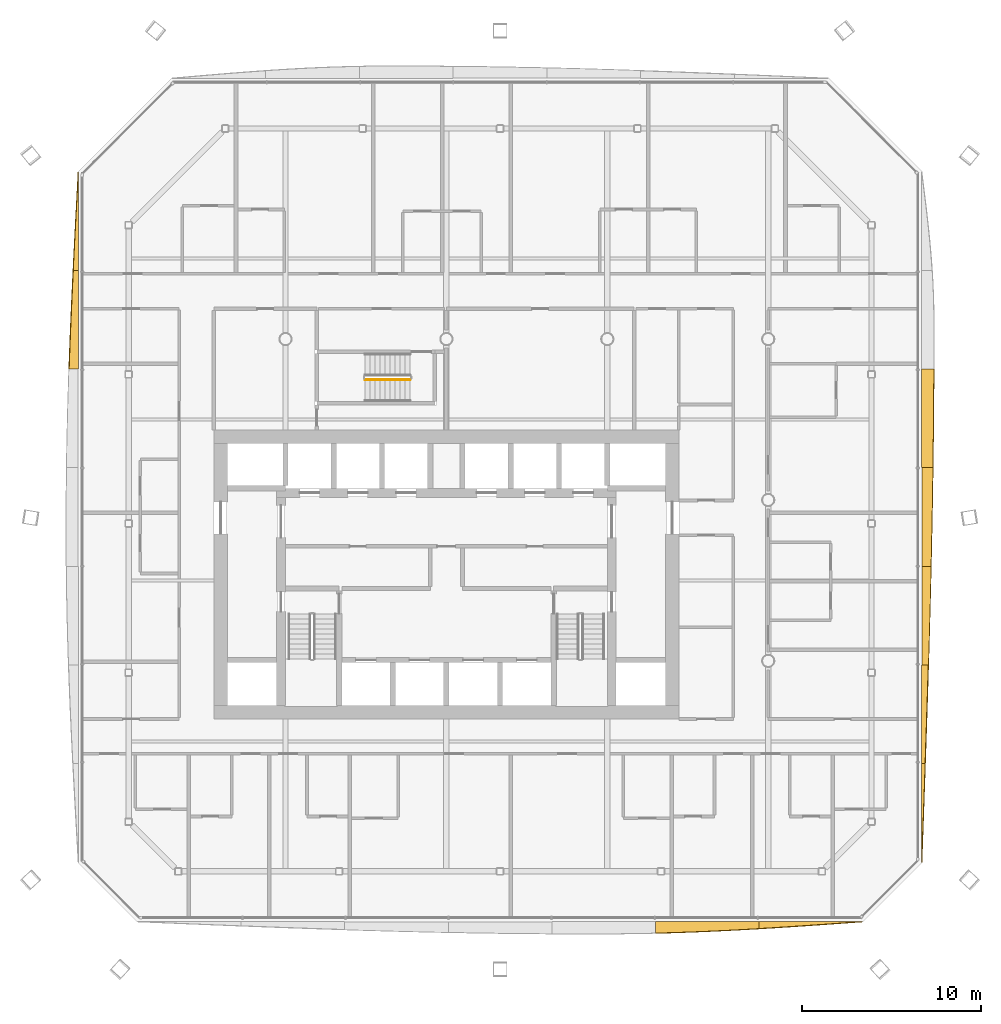
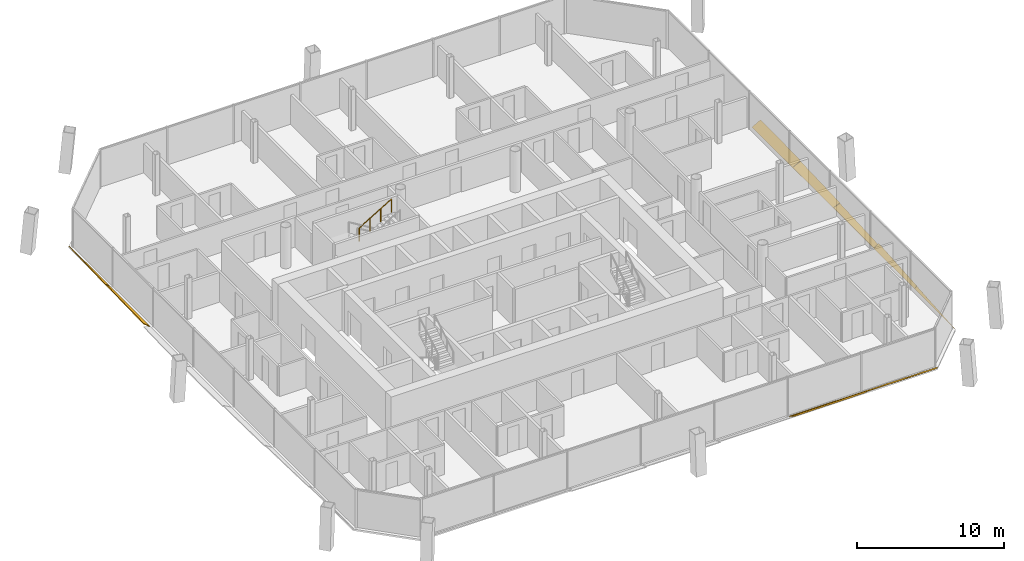
# One storey, part 20 of 22: 9 shading devices, 1 railing.
"""IFC4 building model written with IfcOpenShell, lengths in metres."""

from ifc_helpers import new_model, si_unit, direction, frame, origin, origin_2d, place, context, subcontext, project, spatial, polyline, circle, outline, extrude, material, layer, layer_set, type_object, element, save


model = new_model("IFC4")

# Units and contexts
model_context = context("Model", 3, precision=1e-05, world=origin(), true_north=direction((0.0, 1.0)))
body_context = subcontext(model_context, "Body", "Model", "MODEL_VIEW")
ifc_project = project(units=[si_unit("LENGTHUNIT", "METRE"), si_unit("AREAUNIT", "SQUARE_METRE"), si_unit("VOLUMEUNIT", "CUBIC_METRE"), si_unit("PLANEANGLEUNIT", "RADIAN"), si_unit("MASSUNIT", "GRAM", prefix="KILO")], contexts=[model_context])

# Site, building, storey
site_placement = place(None, origin())
site = spatial("IfcSite", under=ifc_project, at=site_placement, CompositionType="ELEMENT")
building_placement = place(site_placement, origin())
building = spatial("IfcBuilding", under=site, at=building_placement, Name="Tskaro Facet Tower", CompositionType="ELEMENT")
storey_placement = place(building_placement, frame((0.0, 0.0, 124.89990234375)))
storey = spatial("IfcBuildingStorey", under=building, at=storey_placement, Name="L29", CompositionType="ELEMENT", Elevation=124.89990234375)

# Shading devices
ifc_material_1 = material(Name="Bronze anodised aluminium 6063-T6", Category="aluminium")
ifc_layer = layer(ifc_material_1, 0.06005859375, Name="Bronze anodised aluminium 6063-T6")
ifc_layer_set = layer_set([ifc_layer], Name="Bronze anodised aluminium 6063-T6")
shading_device_type = type_object("IfcShadingDeviceType", Name="Bronze sun blade (FN1)", PredefinedType="USERDEFINED", material=ifc_layer_set)
shading_device_1_placement = place(storey_placement, frame((11.687255859375, -23.58251953125, 0.04931640625), z_axis=(-9.178746e-06, 0.573463922931, 0.819230815468), x_axis=(0.999999999958, 5.26368e-06, 7.519512e-06)))
element("IfcShadingDevice", 1, at=shading_device_1_placement, inside=storey, type_object=shading_device_type, Name="Fin blade south 6", ObjectType="FIN", PredefinedType="USERDEFINED", context=body_context, shape_type="SweptSolid", body=[
    extrude(outline(polyline([(0.0, 0.0), (5.791259765381045, 0.0), (5.7912597659233525, -0.4771585921025938), (5.067382812827949, -0.5278205660935821), (4.343505859732599, -0.5755024239674533), (3.6196289073716392, -0.6196641448370104), (2.895507811999184, -0.6603657303850039), (2.1716308587204467, -0.6970071580414859), (1.44775390562536, -0.7297884353297724), (0.7238769521631835, -0.7583695488859822), (-3.810048827194477e-10, -0.7825504911867991), (0.0, 0.0)])), origin(), (0.0, 0.0, -1.0), 0.06005859375),
])
shading_device_2_placement = place(storey_placement, frame((17.478515625, -23.578369140625, 0.046142578125), z_axis=(2.3479221e-05, 0.642479425762, 0.766302934172), x_axis=(0.999999999724, -1.5084917e-05, -1.7992196e-05)))
element("IfcShadingDevice", 2, at=shading_device_2_placement, inside=storey, type_object=shading_device_type, Name="Fin blade south 7", ObjectType="FIN", PredefinedType="USERDEFINED", context=body_context, shape_type="SweptSolid", body=[
    extrude(outline(polyline([(0.0, 0.0), (5.791503904653648, -9.811189245491461e-21), (5.0676269542858705, -0.0677694977638851), (4.343505859610319, -0.13535190985043044), (3.619628907689056, -0.2019024989191613), (2.895751953504522, -0.26757812029867606), (2.171874999186072, -0.3313469509711602), (1.4479980440239217, -0.393552931942552), (0.723876949522493, -0.45316424019503676), (-3.0683487078916687e-09, -0.5101808757286147), (0.0, 0.0)])), origin(), (0.0, 0.0, -1.0), 0.06005859375),
])
shading_device_3_placement = place(storey_placement, frame((26.58251953125, -20.27001953125, 0.04931640625), z_axis=(-0.572944911939, -1.2686296e-05, 0.819593879749), x_axis=(-7.268549e-06, 0.99999999992, 1.0397611e-05)))
element("IfcShadingDevice", 3, at=shading_device_3_placement, inside=storey, type_object=shading_device_type, Name="Fin blade east 1", ObjectType="FIN", PredefinedType="USERDEFINED", context=body_context, shape_type="SweptSolid", body=[
    extrude(outline(polyline([(0.0, 0.0), (5.518066405805955, 9.347968102461766e-21), (5.518066406681357, -0.2359691977669221), (4.828369140626434, -0.20704808928131357), (4.138671876346061, -0.17792688463364079), (3.4489746095272085, -0.14866580085706543), (2.7590332038579235, -0.11920462091842582), (2.0693359362751393, -0.08960356185088364), (1.379638670466904, -0.05980240662127719), (0.6896972640336877, -0.030001251391670734), (0.0, 0.0)])), origin(), (0.0, 0.0, -1.0), 0.06005859375),
])
shading_device_4_placement = place(storey_placement, frame((26.578369140625, -14.751953125, 0.046142578125), z_axis=(-0.642603687289, 7.2884e-08, 0.766198734718), x_axis=(4.6835e-08, 1.0, -5.5843e-08)))
element("IfcShadingDevice", 4, at=shading_device_4_placement, inside=storey, type_object=shading_device_type, Name="Fin blade east 2", ObjectType="FIN", PredefinedType="USERDEFINED", context=body_context, shape_type="SweptSolid", body=[
    extrude(outline(polyline([(0.0, 0.0), (5.518310546874985, 0.0), (5.51831054687679, -0.483672893852526), (4.828369140622856, -0.45663389135045074), (4.1386718749983205, -0.42890699704075524), (3.4489746093781823, -0.4004922109234394), (2.7592773437466103, -0.3718903645681554), (2.069335937494438, -0.34260062640525113), (1.379638671883097, -0.3128100566726947), (0.689941406248888, -0.2826453664642019), (3.3125116302392692e-12, -0.2523237905898671), (0.0, 0.0)])), origin(), (0.0, 0.0, -1.0), 0.06005859375),
])
shading_device_5_placement = place(storey_placement, frame((26.596435546875, -9.233642578125, 0.056396484375), z_axis=(-0.342095685582, 1.0325858e-05, 0.939665122158), x_axis=(3.532432e-06, 0.999999999947, -9.702849e-06)))
element("IfcShadingDevice", 5, at=shading_device_5_placement, inside=storey, type_object=shading_device_type, Name="Fin blade east 3", ObjectType="FIN", PredefinedType="USERDEFINED", context=body_context, shape_type="SweptSolid", body=[
    extrude(outline(polyline([(0.0, 0.0), (5.518066405955823, -2.3369920256154414e-21), (5.518066406367937, -0.5510565413784225), (4.828369139850862, -0.5336815756454331), (4.138427733352841, -0.5157642695974983), (3.4487304696302945, -0.4969916933498997), (2.7590332033205187, -0.47753088581162145), (2.069335938517192, -0.45775714838862447), (1.3793945305016488, -0.43729517967494796), (0.6896972652615811, -0.41597794076160755), (-8.408965571670171e-10, -0.3944312914180405), (0.0, 0.0)])), origin(), (0.0, 0.0, -1.0), 0.06005859375),
])
shading_device_6_placement = place(storey_placement, frame((26.591552734375, -3.715576171875, 0.054443359375), z_axis=(-0.422599262123, 6.1394e-07, 0.906316646461), x_axis=(2.5945e-07, 1.0, -5.56424e-07)))
element("IfcShadingDevice", 6, at=shading_device_6_placement, inside=storey, type_object=shading_device_type, Name="Fin blade east 4", ObjectType="FIN", PredefinedType="USERDEFINED", context=body_context, shape_type="SweptSolid", body=[
    extrude(outline(polyline([(0.0, 0.0), (5.51806640624896, 1.460620016009651e-22), (5.518066406251601, -0.686908684360571), (4.828369140619922, -0.6753306567628411), (4.13867187493406, -0.6629856493795869), (3.4487304687048623, -0.6497704885628293), (2.759033203182329, -0.6356851743125682), (2.0693359375422715, -0.6206116115642678), (1.3796386719113745, -0.6049923377429584), (0.6896972656012965, -0.5886060841361245), (-2.117670052562934e-12, -0.5713496770957871), (0.0, 0.0)])), origin(), (0.0, 0.0, -1.0), 0.06005859375),
])
shading_device_7_placement = place(storey_placement, frame((26.5869140625, 1.802490234375, 0.052001953125), z_axis=(-0.500051323898, -1.8568348e-05, 0.865995769691), x_axis=(-9.285127e-06, 0.999999999828, 1.6080111e-05)))
element("IfcShadingDevice", 7, at=shading_device_7_placement, inside=storey, type_object=shading_device_type, Name="Fin blade east 5", ObjectType="FIN", PredefinedType="USERDEFINED", context=body_context, shape_type="SweptSolid", body=[
    extrude(outline(polyline([(0.0, 0.0), (5.518310545923689, -9.348381692768042e-21), (5.518310547968493, -0.7809791017658493), (4.8283691405083085, -0.7767089849534798), (4.138671874888973, -0.7713490034615862), (3.4489746082186516, -0.765110582038665), (2.7590332021392614, -0.7577822959362197), (2.0693359379007195, -0.7493641451542503), (1.3796386703443144, -0.7402789791897493), (0.6899414062706766, -0.7298925237972281), (-1.7457826758244784e-09, -0.7188390532221752), (0.0, 0.0)])), origin(), (0.0, 0.0, -1.0), 0.06005859375),
])
shading_device_8_placement = place(storey_placement, frame((-20.58251953125, 18.35693359375, 0.04931640625), z_axis=(0.573116397804, 3.4021637e-05, 0.819473973602), x_axis=(1.9498358e-05, -0.999999999421, 2.7879846e-05)))
element("IfcShadingDevice", 8, at=shading_device_8_placement, inside=storey, type_object=shading_device_type, Name="Fin blade west 1", ObjectType="FIN", PredefinedType="USERDEFINED", context=body_context, shape_type="SweptSolid", body=[
    extrude(outline(polyline([(0.0, 0.0), (5.518066403056498, 0.0), (5.51806640944349, -0.34989358516425906), (4.828369138857986, -0.30837203013157666), (4.138427735122047, -0.2661103534386493), (3.4487304658721802, -0.2228287130941996), (2.7590331993363932, -0.17900701797770702), (2.069335935514686, -0.13464526808917157), (1.3793945290218583, -0.08994353031679533), (0.6896972631538894, -0.04524179254441911), (0.0, 0.0)])), origin(), (0.0, 0.0, -1.0), 0.06005859375),
])
shading_device_9_placement = place(storey_placement, frame((-20.578369140625, 12.8388671875, 0.046142578125), z_axis=(0.642619824081, -1.0845693e-05, 0.766185200575), x_axis=(-6.969657e-06, -0.999999999941, -8.30981e-06)))
element("IfcShadingDevice", 9, at=shading_device_9_placement, inside=storey, type_object=shading_device_type, Name="Fin blade west 2", ObjectType="FIN", PredefinedType="USERDEFINED", context=body_context, shape_type="SweptSolid", body=[
    extrude(outline(polyline([(0.0, 0.0), (5.518066405925458, 4.673984051230883e-21), (5.518066406587139, -0.6789800508354712), (4.828369139559491, -0.6469085736653963), (4.138671874494958, -0.612773417259864), (3.4487304687397895, -0.5767314712243716), (2.7590332032167733, -0.5391266820981624), (2.0693359373009224, -0.4999590498812362), (1.379638670992237, -0.4592285745735931), (0.6896972670688852, -0.4173093700427235), (-6.798393357741058e-10, -0.37414110163213243), (0.0, 0.0)])), origin(), (0.0, 0.0, -1.0), 0.06005859375),
])

# Railing
ifc_material_2 = material(Name="Stainless steel", Category="steel")
railing_type = type_object("IfcRailingType", Name="RL-GUARD-1100", PredefinedType="GUARDRAIL", material=ifc_material_2)
railing_placement = place(storey_placement, frame((-4.544921875, 6.72509765625, 1.8701171875)))
element("IfcRailing", 10, at=railing_placement, inside=storey, type_object=railing_type, Name="L29 ST-3 stair guard 3", PredefinedType="GUARDRAIL", context=body_context, shape_type="SweptSolid", body=[
    extrude(circle(Radius=0.02392578125, at=origin_2d()), frame((0.0, 0.0, 1.076171875), z_axis=(0.85478489116, 0.0, 0.518982456201), x_axis=(0.0, 1.0, 0.0)), (0.0, 0.0, 1.0), 2.9482421875),
    extrude(circle(Radius=0.02099609375, at=origin_2d()), origin(), (0.0, 0.0, 1.0), 1.052001953125),
    extrude(circle(Radius=0.02099609375, at=origin_2d()), frame((0.840087890625, 0.0, 0.510009765625)), (0.0, 0.0, 1.0), 1.052001953125),
    extrude(circle(Radius=0.02099609375, at=origin_2d()), frame((1.679931640625, 0.0, 1.02001953125)), (0.0, 0.0, 1.0), 1.052001953125),
    extrude(circle(Radius=0.02099609375, at=origin_2d()), frame((2.52001953125, 0.0, 1.530029296875)), (0.0, 0.0, 1.0), 1.052001953125),
])

save(model, "model.ifc")
